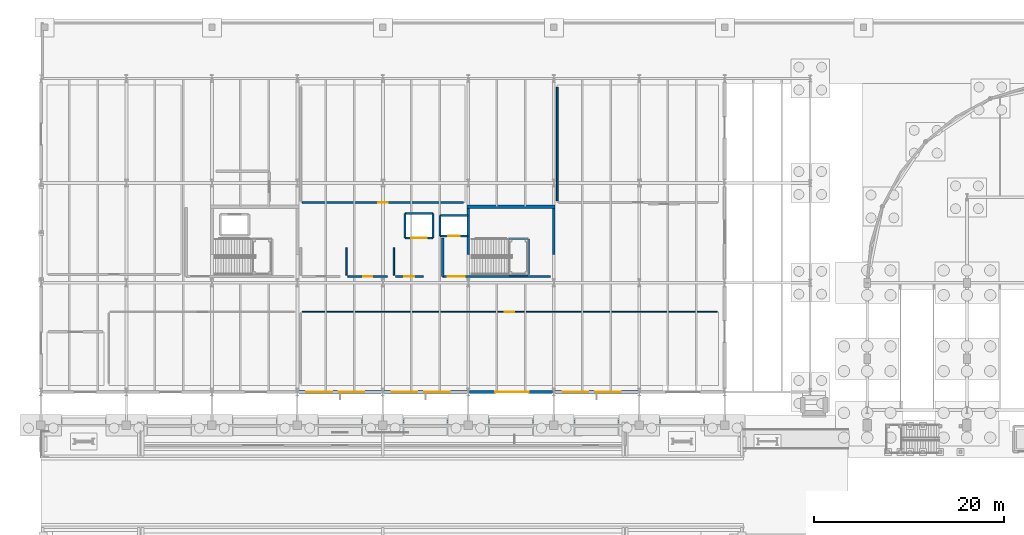
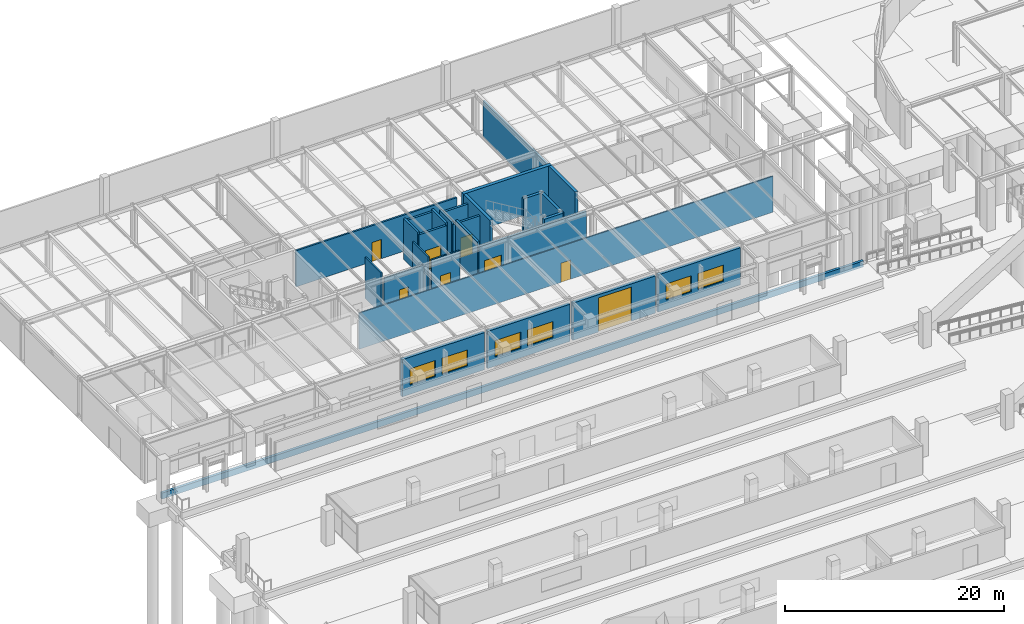
# One storey, part 104 of 160: 27 walls, 8 doors, 6 windows, 14 openings.
"""IFC4 building model written with IfcOpenShell, lengths in metres."""

from ifc_helpers import new_model, si_unit, direction, frame, frame_2d, origin, place, context, subcontext, project, spatial, rectangle, extrude, material, layer, layer_set, type_object, element, fill, save


model = new_model("IFC4")

# Units and contexts
model_context = context("Model", 3, precision=1e-05, world=origin(), true_north=direction((0.0, 1.0)))
body_context = subcontext(model_context, "Body", "Model", "MODEL_VIEW")
ifc_project = project(units=[si_unit("LENGTHUNIT", "METRE"), si_unit("AREAUNIT", "SQUARE_METRE"), si_unit("VOLUMEUNIT", "CUBIC_METRE"), si_unit("PLANEANGLEUNIT", "RADIAN"), si_unit("MASSUNIT", "GRAM", prefix="KILO")], contexts=[model_context])

# Site, building, storey
site_placement = place(None, origin())
site = spatial("IfcSite", under=ifc_project, at=site_placement, CompositionType="ELEMENT")
building_placement = place(site_placement, origin())
building = spatial("IfcBuilding", under=site, at=building_placement, Name="Marlcrest Central Station", CompositionType="ELEMENT")
storey_placement = place(building_placement, origin())
storey = spatial("IfcBuildingStorey", under=building, at=storey_placement, Name="L00", CompositionType="ELEMENT", Elevation=0.0)

# Wall, openings, windows
ifc_material_1 = material(Name="Concrete C40/50", Category="concrete")
ifc_layer_1 = layer(ifc_material_1, 0.320068359375, Name="EW-01")
ifc_layer_set_1 = layer_set([ifc_layer_1], Name="Concrete C40/50")
wall_type_1 = type_object("IfcWallType", Name="EW-01", PredefinedType="SOLIDWALL", material=ifc_layer_set_1)
wall_1_placement = place(storey_placement, frame((35.85009765625, 99.0, 0.0), z_axis=(0.0, 0.0, 1.0), x_axis=(-1.0, 0.0, 0.0)))
wall_1 = element("IfcWall", 1, at=wall_1_placement, inside=storey, type_object=wall_type_1, Name="ewall-L00-0100", PredefinedType="SOLIDWALL", context=body_context, shape_type="SweptSolid", body=[
    extrude(rectangle(XDim=8.7001953125, YDim=0.320068359375, at=frame_2d((4.35009765625, 0.0))), origin(), (0.0, 0.0, 1.0), 4.14990234375),
])
opening_1_placement = place(wall_1_placement, frame((1.800048828125, 0.0, 1.050048828125)))
opening_1 = element("IfcOpeningElement", 2, at=opening_1_placement, cuts=wall_1, Name="Opening WN-06", PredefinedType="OPENING", context=body_context, shape_type="SweptSolid", body=[
    extrude(rectangle(XDim=2.699951171875, YDim=1.800048828125, at=frame_2d((1.35009765625, 0.89990234375))), frame((0.0, 0.169921875, 0.0), z_axis=(0.0, -1.0, 0.0), x_axis=(1.0, 0.0, 0.0)), (0.0, 0.0, 1.0), 0.340087890625),
])
opening_2_placement = place(wall_1_placement, frame((5.199951171875, 0.0, 1.050048828125)))
opening_2 = element("IfcOpeningElement", 3, at=opening_2_placement, cuts=wall_1, Name="Opening WN-06", PredefinedType="OPENING", context=body_context, shape_type="SweptSolid", body=[
    extrude(rectangle(XDim=2.699951171875, YDim=1.800048828125, at=frame_2d((1.35009765625, 0.89990234375))), frame((0.0, 0.169921875, 0.0), z_axis=(0.0, -1.0, 0.0), x_axis=(1.0, 0.0, 0.0)), (0.0, 0.0, 1.0), 0.340087890625),
])
ifc_material_2 = material(Name="Thermally broken bronze-anodised aluminium and laminated low-E glass", Category="aluminium")
window_type = type_object("IfcWindowType", Name="WN-06", PartitioningType="SINGLE_PANEL", PredefinedType="WINDOW", material=ifc_material_2)
window_1_placement = place(opening_1_placement, origin())
window_1 = element("IfcWindow", 4, at=window_1_placement, inside=storey, type_object=window_type, Name="ewin-L00-0053", OverallHeight=1.800048828125, OverallWidth=2.699951171875, PartitioningType="SINGLE_PANEL", PredefinedType="WINDOW", context=body_context, shape_type="SweptSolid", body=[
    extrude(rectangle(XDim=2.699951171875, YDim=1.800048828125, at=frame_2d((1.35009765625, 0.89990234375))), frame((0.0, 0.030029296875, 0.0), z_axis=(0.0, -1.0, 0.0), x_axis=(1.0, 0.0, 0.0)), (0.0, 0.0, 1.0), 0.06005859375),
])
fill(opening_1, window_1)
window_2_placement = place(opening_2_placement, origin())
window_2 = element("IfcWindow", 5, at=window_2_placement, inside=storey, type_object=window_type, Name="ewin-L00-0054", OverallHeight=1.800048828125, OverallWidth=2.699951171875, PartitioningType="SINGLE_PANEL", PredefinedType="WINDOW", context=body_context, shape_type="SweptSolid", body=[
    extrude(rectangle(XDim=2.699951171875, YDim=1.800048828125, at=frame_2d((1.35009765625, 0.89990234375))), frame((0.0, 0.030029296875, 0.0), z_axis=(0.0, -1.0, 0.0), x_axis=(1.0, 0.0, 0.0)), (0.0, 0.0, 1.0), 0.06005859375),
])
fill(opening_2, window_2)

wall_2_placement = place(storey_placement, frame((44.85009765625, 99.0, 0.0), z_axis=(0.0, 0.0, 1.0), x_axis=(-1.0, 0.0, 0.0)))
wall_2 = element("IfcWall", 6, at=wall_2_placement, inside=storey, type_object=wall_type_1, Name="ewall-L00-0101", PredefinedType="SOLIDWALL", context=body_context, shape_type="SweptSolid", body=[
    extrude(rectangle(XDim=8.7001953125, YDim=0.320068359375, at=frame_2d((4.35009765625, 0.0))), origin(), (0.0, 0.0, 1.0), 4.14990234375),
])
opening_3_placement = place(wall_2_placement, frame((1.800048828125, 0.0, 1.050048828125)))
opening_3 = element("IfcOpeningElement", 7, at=opening_3_placement, cuts=wall_2, Name="Opening WN-06", PredefinedType="OPENING", context=body_context, shape_type="SweptSolid", body=[
    extrude(rectangle(XDim=2.699951171875, YDim=1.800048828125, at=frame_2d((1.35009765625, 0.89990234375))), frame((0.0, 0.169921875, 0.0), z_axis=(0.0, -1.0, 0.0), x_axis=(1.0, 0.0, 0.0)), (0.0, 0.0, 1.0), 0.340087890625),
])
opening_4_placement = place(wall_2_placement, frame((5.199951171875, 0.0, 1.050048828125)))
opening_4 = element("IfcOpeningElement", 8, at=opening_4_placement, cuts=wall_2, Name="Opening WN-06", PredefinedType="OPENING", context=body_context, shape_type="SweptSolid", body=[
    extrude(rectangle(XDim=2.699951171875, YDim=1.800048828125, at=frame_2d((1.35009765625, 0.89990234375))), frame((0.0, 0.169921875, 0.0), z_axis=(0.0, -1.0, 0.0), x_axis=(1.0, 0.0, 0.0)), (0.0, 0.0, 1.0), 0.340087890625),
])
window_3_placement = place(opening_3_placement, origin())
window_3 = element("IfcWindow", 9, at=window_3_placement, inside=storey, type_object=window_type, Name="ewin-L00-0055", OverallHeight=1.800048828125, OverallWidth=2.699951171875, PartitioningType="SINGLE_PANEL", PredefinedType="WINDOW", context=body_context, shape_type="SweptSolid", body=[
    extrude(rectangle(XDim=2.699951171875, YDim=1.800048828125, at=frame_2d((1.35009765625, 0.89990234375))), frame((0.0, 0.030029296875, 0.0), z_axis=(0.0, -1.0, 0.0), x_axis=(1.0, 0.0, 0.0)), (0.0, 0.0, 1.0), 0.06005859375),
])
fill(opening_3, window_3)
window_4_placement = place(opening_4_placement, origin())
window_4 = element("IfcWindow", 10, at=window_4_placement, inside=storey, type_object=window_type, Name="ewin-L00-0056", OverallHeight=1.800048828125, OverallWidth=2.699951171875, PartitioningType="SINGLE_PANEL", PredefinedType="WINDOW", context=body_context, shape_type="SweptSolid", body=[
    extrude(rectangle(XDim=2.699951171875, YDim=1.800048828125, at=frame_2d((1.35009765625, 0.89990234375))), frame((0.0, 0.030029296875, 0.0), z_axis=(0.0, -1.0, 0.0), x_axis=(1.0, 0.0, 0.0)), (0.0, 0.0, 1.0), 0.06005859375),
])
fill(opening_4, window_4)

# Wall, opening, door
wall_3_placement = place(storey_placement, frame((53.85009765625, 99.0, 0.0), z_axis=(0.0, 0.0, 1.0), x_axis=(-1.0, 0.0, 0.0)))
wall_3 = element("IfcWall", 11, at=wall_3_placement, inside=storey, type_object=wall_type_1, Name="ewall-L00-0102", PredefinedType="SOLIDWALL", context=body_context, shape_type="SweptSolid", body=[
    extrude(rectangle(XDim=8.7001953125, YDim=0.320068359375, at=frame_2d((4.35009765625, 0.0))), origin(), (0.0, 0.0, 1.0), 4.14990234375),
])
opening_5_placement = place(wall_3_placement, frame((2.5, 0.0, 0.0)))
opening_5 = element("IfcOpeningElement", 12, at=opening_5_placement, cuts=wall_3, Name="Opening VD-01", PredefinedType="OPENING", context=body_context, shape_type="SweptSolid", body=[
    extrude(rectangle(XDim=3.5, YDim=3.800048828125, at=frame_2d((1.75, 1.89990234375))), frame((0.0, 0.169921875, 0.0), z_axis=(0.0, -1.0, 0.0), x_axis=(1.0, 0.0, 0.0)), (0.0, 0.0, 1.0), 0.340087890625),
])
ifc_material_3 = material(Name="Galvanized insulated steel shutter", Category="steel")
door_type_1 = type_object("IfcDoorType", Name="VD-01", OperationType="ROLLINGUP", PredefinedType="GATE", material=ifc_material_3)
door_1_placement = place(opening_5_placement, origin())
door_1 = element("IfcDoor", 13, at=door_1_placement, inside=storey, type_object=door_type_1, Name="Freight Loading Dock Shutter 034", OperationType="ROLLINGUP", OverallHeight=3.800048828125, OverallWidth=3.5, PredefinedType="GATE", context=body_context, shape_type="SweptSolid", body=[
    extrude(rectangle(XDim=3.5, YDim=3.800048828125, at=frame_2d((1.75, 1.89990234375))), frame((0.0, 0.02490234375, 0.0), z_axis=(0.0, -1.0, 0.0), x_axis=(1.0, 0.0, 0.0)), (0.0, 0.0, 1.0), 0.050048828125),
])
fill(opening_5, door_1)

# Wall, openings, windows
wall_4_placement = place(storey_placement, frame((62.85009765625, 99.0, 0.0), z_axis=(0.0, 0.0, 1.0), x_axis=(-1.0, 0.0, 0.0)))
wall_4 = element("IfcWall", 14, at=wall_4_placement, inside=storey, type_object=wall_type_1, Name="ewall-L00-0103", PredefinedType="SOLIDWALL", context=body_context, shape_type="SweptSolid", body=[
    extrude(rectangle(XDim=8.7001953125, YDim=0.320068359375, at=frame_2d((4.35009765625, 0.0))), origin(), (0.0, 0.0, 1.0), 4.14990234375),
])
opening_6_placement = place(wall_4_placement, frame((1.800048828125, 0.0, 1.050048828125)))
opening_6 = element("IfcOpeningElement", 15, at=opening_6_placement, cuts=wall_4, Name="Opening WN-06", PredefinedType="OPENING", context=body_context, shape_type="SweptSolid", body=[
    extrude(rectangle(XDim=2.699951171875, YDim=1.800048828125, at=frame_2d((1.35009765625, 0.89990234375))), frame((0.0, 0.169921875, 0.0), z_axis=(0.0, -1.0, 0.0), x_axis=(1.0, 0.0, 0.0)), (0.0, 0.0, 1.0), 0.340087890625),
])
opening_7_placement = place(wall_4_placement, frame((5.199951171875, 0.0, 1.050048828125)))
opening_7 = element("IfcOpeningElement", 16, at=opening_7_placement, cuts=wall_4, Name="Opening WN-06", PredefinedType="OPENING", context=body_context, shape_type="SweptSolid", body=[
    extrude(rectangle(XDim=2.699951171875, YDim=1.800048828125, at=frame_2d((1.35009765625, 0.89990234375))), frame((0.0, 0.169921875, 0.0), z_axis=(0.0, -1.0, 0.0), x_axis=(1.0, 0.0, 0.0)), (0.0, 0.0, 1.0), 0.340087890625),
])
window_5_placement = place(opening_6_placement, origin())
window_5 = element("IfcWindow", 17, at=window_5_placement, inside=storey, type_object=window_type, Name="ewin-L00-0057", OverallHeight=1.800048828125, OverallWidth=2.699951171875, PartitioningType="SINGLE_PANEL", PredefinedType="WINDOW", context=body_context, shape_type="SweptSolid", body=[
    extrude(rectangle(XDim=2.699951171875, YDim=1.800048828125, at=frame_2d((1.35009765625, 0.89990234375))), frame((0.0, 0.030029296875, 0.0), z_axis=(0.0, -1.0, 0.0), x_axis=(1.0, 0.0, 0.0)), (0.0, 0.0, 1.0), 0.06005859375),
])
fill(opening_6, window_5)
window_6_placement = place(opening_7_placement, origin())
window_6 = element("IfcWindow", 18, at=window_6_placement, inside=storey, type_object=window_type, Name="ewin-L00-0058", OverallHeight=1.800048828125, OverallWidth=2.699951171875, PartitioningType="SINGLE_PANEL", PredefinedType="WINDOW", context=body_context, shape_type="SweptSolid", body=[
    extrude(rectangle(XDim=2.699951171875, YDim=1.800048828125, at=frame_2d((1.35009765625, 0.89990234375))), frame((0.0, 0.030029296875, 0.0), z_axis=(0.0, -1.0, 0.0), x_axis=(1.0, 0.0, 0.0)), (0.0, 0.0, 1.0), 0.06005859375),
])
fill(opening_7, window_6)

# Wall, opening, door
ifc_material_4 = material(Name="Acoustic steel-stud gypsum board partition", Category="steel")
ifc_layer_2 = layer(ifc_material_4, 0.1201171875, Name="PT-01")
ifc_layer_set_2 = layer_set([ifc_layer_2], Name="Acoustic steel-stud gypsum board partition")
wall_type_2 = type_object("IfcWallType", Name="PT-01", PredefinedType="PARTITIONING", material=ifc_layer_set_2)
wall_5_placement = place(storey_placement, frame((27.510009765625, 107.43994140625, 0.0), z_axis=(0.0, 0.0, 1.0), x_axis=(1.0, 0.0, 0.0)))
wall_5 = element("IfcWall", 19, at=wall_5_placement, inside=storey, type_object=wall_type_2, Name="iwall-L00-00055", PredefinedType="PARTITIONING", context=body_context, shape_type="SweptSolid", body=[
    extrude(rectangle(XDim=43.679931640625, YDim=0.1201171875, at=frame_2d((21.83984375, 0.0))), origin(), (0.0, 0.0, 1.0), 4.030029296875),
])
opening_8_placement = place(wall_5_placement, frame((21.340087890625, 0.0, 0.0)))
opening_8 = element("IfcOpeningElement", 20, at=opening_8_placement, cuts=wall_5, Name="Opening ID-02", PredefinedType="OPENING", context=body_context, shape_type="SweptSolid", body=[
    extrude(rectangle(XDim=1.0, YDim=2.14990234375, at=frame_2d((0.5, 1.074951171875))), frame((0.0, 0.070068359375, 0.0), z_axis=(0.0, -1.0, 0.0), x_axis=(1.0, 0.0, 0.0)), (0.0, 0.0, 1.0), 0.14013671875),
])
ifc_material_5 = material(Name="Solid-core hardwood office door", Category="wood")
door_type_2 = type_object("IfcDoorType", Name="ID-02", OperationType="NOTDEFINED", PredefinedType="DOOR", material=ifc_material_5)
door_2_placement = place(opening_8_placement, origin())
door_2 = element("IfcDoor", 21, at=door_2_placement, inside=storey, type_object=door_type_2, Name="L00-V5B 0035", OperationType="SINGLE_SWING_RIGHT", OverallHeight=2.14990234375, OverallWidth=1.0, PredefinedType="DOOR", context=body_context, shape_type="SweptSolid", body=[
    extrude(rectangle(XDim=1.0, YDim=2.14990234375, at=frame_2d((0.5, 1.074951171875))), frame((0.0, 0.02490234375, 0.0), z_axis=(0.0, -1.0, 0.0), x_axis=(1.0, 0.0, 0.0)), (0.0, 0.0, 1.0), 0.050048828125),
])
fill(opening_8, door_2)

ifc_material_6 = material(Name="Moisture-resistant tiled sanitary partition")
ifc_layer_3 = layer(ifc_material_6, 0.159912109375, Name="PT-03")
ifc_layer_set_3 = layer_set([ifc_layer_3], Name="Moisture-resistant tiled sanitary partition")
wall_type_3 = type_object("IfcWallType", Name="PT-03", PredefinedType="PARTITIONING", material=ifc_layer_set_3)
wall_6_placement = place(storey_placement, frame((36.489990234375, 111.159912109375, 0.0), z_axis=(0.0, 0.0, 1.0), x_axis=(-1.0, 0.0, 0.0)))
wall_6 = element("IfcWall", 22, at=wall_6_placement, inside=storey, type_object=wall_type_3, Name="iwall-L00-00066", PredefinedType="PARTITIONING", context=body_context, shape_type="SweptSolid", body=[
    extrude(rectangle(XDim=4.179931640625, YDim=0.159912109375, at=frame_2d((2.08984375, 0.0))), origin(), (0.0, 0.0, 1.0), 4.030029296875),
])
opening_9_placement = place(wall_6_placement, frame((1.614990234375, 0.0, 0.0)))
opening_9 = element("IfcOpeningElement", 23, at=opening_9_placement, cuts=wall_6, Name="Opening ID-01", PredefinedType="OPENING", context=body_context, shape_type="SweptSolid", body=[
    extrude(rectangle(XDim=0.949951171875, YDim=2.14990234375, at=frame_2d((0.47509765625, 1.074951171875))), frame((0.0, 0.08984375, 0.0), z_axis=(0.0, -1.0, 0.0), x_axis=(1.0, 0.0, 0.0)), (0.0, 0.0, 1.0), 0.179931640625),
])
ifc_material_7 = material(Name="Solid-core hardwood acoustic door", Category="wood")
door_type_3 = type_object("IfcDoorType", Name="ID-01", OperationType="NOTDEFINED", PredefinedType="DOOR", material=ifc_material_7)
door_3_placement = place(opening_9_placement, origin())
door_3 = element("IfcDoor", 24, at=door_3_placement, inside=storey, type_object=door_type_3, Name="L00-WC-W2 0041", OperationType="SINGLE_SWING_RIGHT", OverallHeight=2.14990234375, OverallWidth=0.949951171875, PredefinedType="DOOR", context=body_context, shape_type="SweptSolid", body=[
    extrude(rectangle(XDim=0.949951171875, YDim=2.14990234375, at=frame_2d((0.47509765625, 1.074951171875))), frame((0.0, 0.02490234375, 0.0), z_axis=(0.0, -1.0, 0.0), x_axis=(1.0, 0.0, 0.0)), (0.0, 0.0, 1.0), 0.050048828125),
])
fill(opening_9, door_3)

# Wall
wall_7_placement = place(storey_placement, frame((32.159912109375, 111.31005859375, 0.0), z_axis=(0.0, 0.0, 1.0), x_axis=(0.0, 1.0, 0.0)))
element("IfcWall", 25, at=wall_7_placement, inside=storey, type_object=wall_type_3, Name="iwall-L00-00067", PredefinedType="PARTITIONING", context=body_context, shape_type="SweptSolid", body=[
    extrude(rectangle(XDim=2.8798828125, YDim=0.159912109375, at=frame_2d((1.43994140625, 0.0))), origin(), (0.0, 0.0, 1.0), 4.550048828125),
])

# Wall, opening, door
wall_8_placement = place(storey_placement, frame((40.2900390625, 111.159912109375, 0.0), z_axis=(0.0, 0.0, 1.0), x_axis=(-1.0, 0.0, 0.0)))
wall_8 = element("IfcWall", 26, at=wall_8_placement, inside=storey, type_object=wall_type_3, Name="iwall-L00-00068", PredefinedType="PARTITIONING", context=body_context, shape_type="SweptSolid", body=[
    extrude(rectangle(XDim=2.97998046875, YDim=0.159912109375, at=frame_2d((1.489990234375, 0.0))), origin(), (0.0, 0.0, 1.0), 4.31005859375),
])
opening_10_placement = place(wall_8_placement, frame((0.965087890625, 0.0, 0.0)))
opening_10 = element("IfcOpeningElement", 27, at=opening_10_placement, cuts=wall_8, Name="Opening ID-03", PredefinedType="OPENING", context=body_context, shape_type="SweptSolid", body=[
    extrude(rectangle(XDim=1.050048828125, YDim=2.199951171875, at=frame_2d((0.52490234375, 1.10009765625))), frame((0.0, 0.08984375, 0.0), z_axis=(0.0, -1.0, 0.0), x_axis=(1.0, 0.0, 0.0)), (0.0, 0.0, 1.0), 0.179931640625),
])
ifc_material_8 = material(Name="Accessible sanitary outward-opening door")
door_type_4 = type_object("IfcDoorType", Name="ID-03", OperationType="NOTDEFINED", PredefinedType="DOOR", material=ifc_material_8)
door_4_placement = place(opening_10_placement, origin())
door_4 = element("IfcDoor", 28, at=door_4_placement, inside=storey, type_object=door_type_4, Name="L00-WC-WA 0042", OperationType="SINGLE_SWING_LEFT", OverallHeight=2.199951171875, OverallWidth=1.050048828125, PredefinedType="DOOR", context=body_context, shape_type="SweptSolid", body=[
    extrude(rectangle(XDim=1.050048828125, YDim=2.199951171875, at=frame_2d((0.52490234375, 1.10009765625))), frame((0.0, 0.02490234375, 0.0), z_axis=(0.0, -1.0, 0.0), x_axis=(1.0, 0.0, 0.0)), (0.0, 0.0, 1.0), 0.050048828125),
])
fill(opening_10, door_4)

# Wall
wall_9_placement = place(storey_placement, frame((37.159912109375, 111.31005859375, 0.0), z_axis=(0.0, 0.0, 1.0), x_axis=(0.0, 1.0, 0.0)))
element("IfcWall", 29, at=wall_9_placement, inside=storey, type_object=wall_type_3, Name="iwall-L00-00069", PredefinedType="PARTITIONING", context=body_context, shape_type="SweptSolid", body=[
    extrude(rectangle(XDim=2.8798828125, YDim=0.159912109375, at=frame_2d((1.43994140625, 0.0))), origin(), (0.0, 0.0, 1.0), 4.550048828125),
])

# Wall, opening, door
ifc_material_9 = material(Name="Fire-rated corridor blockwork partition", Category="masonry")
ifc_layer_4 = layer(ifc_material_9, 0.179931640625, Name="PT-04")
ifc_layer_set_4 = layer_set([ifc_layer_4], Name="Fire-rated corridor blockwork partition")
wall_type_4 = type_object("IfcWallType", Name="PT-04", PredefinedType="PARTITIONING", material=ifc_layer_set_4)
wall_10_placement = place(storey_placement, frame((44.489990234375, 118.9599609375, 0.0), z_axis=(0.0, 0.0, 1.0), x_axis=(-1.0, 0.0, 0.0)))
wall_10 = element("IfcWall", 30, at=wall_10_placement, inside=storey, type_object=wall_type_4, Name="iwall-L00-00058", PredefinedType="PARTITIONING", context=body_context, shape_type="SweptSolid", body=[
    extrude(rectangle(XDim=16.97998046875, YDim=0.179931640625, at=frame_2d((8.489990234375, 0.0))), origin(), (0.0, 0.0, 1.0), 4.030029296875),
])
opening_11_placement = place(wall_10_placement, frame((7.989990234375, 0.0, 0.0)))
opening_11 = element("IfcOpeningElement", 31, at=opening_11_placement, cuts=wall_10, Name="Opening ID-02", PredefinedType="OPENING", context=body_context, shape_type="SweptSolid", body=[
    extrude(rectangle(XDim=1.0, YDim=2.14990234375, at=frame_2d((0.5, 1.074951171875))), frame((0.0, 0.099853515625, 0.0), z_axis=(0.0, -1.0, 0.0), x_axis=(1.0, 0.0, 0.0)), (0.0, 0.0, 1.0), 0.199951171875),
])
door_5_placement = place(opening_11_placement, origin())
door_5 = element("IfcDoor", 32, at=door_5_placement, inside=storey, type_object=door_type_2, Name="L00-V5E 0037", OperationType="SINGLE_SWING_RIGHT", OverallHeight=2.14990234375, OverallWidth=1.0, PredefinedType="DOOR", context=body_context, shape_type="SweptSolid", body=[
    extrude(rectangle(XDim=1.0, YDim=2.14990234375, at=frame_2d((0.5, 1.074951171875))), frame((0.0, 0.02490234375, 0.0), z_axis=(0.0, -1.0, 0.0), x_axis=(1.0, 0.0, 0.0)), (0.0, 0.0, 1.0), 0.050048828125),
])
fill(opening_11, door_5)

# Walls
wall_11_placement = place(storey_placement, frame((54.360107421875, 119.110107421875, 0.0), z_axis=(0.0, 0.0, 1.0), x_axis=(0.0, 1.0, 0.0)))
element("IfcWall", 33, at=wall_11_placement, inside=storey, type_object=wall_type_4, Name="iwall-L00-00061", PredefinedType="PARTITIONING", context=body_context, shape_type="SweptSolid", body=[
    extrude(rectangle(XDim=11.97998046875, YDim=0.179931640625, at=frame_2d((5.989990234375, 0.0))), origin(), (0.0, 0.0, 1.0), 4.030029296875),
])
ifc_material_10 = material(Name="Concrete C35/45", Category="concrete")
ifc_layer_5 = layer(ifc_material_10, 0.27490234375, Name="PW-01")
ifc_layer_set_5 = layer_set([ifc_layer_5], Name="Concrete C35/45")
wall_type_5 = type_object("IfcWallType", Name="PW-01", PredefinedType="SOLIDWALL", material=ifc_layer_set_5)
wall_12_placement = place(storey_placement, frame((0.0, 95.85009765625, 0.0), z_axis=(0.0, 0.0, 1.0), x_axis=(1.0, 0.0, 0.0)))
element("IfcWall", 34, at=wall_12_placement, inside=storey, type_object=wall_type_5, Name="swall-L00-0144", PredefinedType="SOLIDWALL", context=body_context, shape_type="SweptSolid", body=[
    extrude(rectangle(XDim=74.0, YDim=0.27490234375, at=frame_2d((37.0, 0.0))), origin(), (0.0, 0.0, 1.0), 0.675048828125),
])
ifc_layer_6 = layer(ifc_material_1, 0.22998046875, Name="SHW-01")
ifc_layer_set_6 = layer_set([ifc_layer_6], Name="Concrete C40/50")
wall_type_6 = type_object("IfcWallType", Name="SHW-01", PredefinedType="SOLIDWALL", material=ifc_layer_set_6)
wall_13_placement = place(storey_placement, frame((42.02001953125, 117.580078125, 0.0), z_axis=(0.0, 0.0, 1.0), x_axis=(1.0, 0.0, 0.0)))
element("IfcWall", 35, at=wall_13_placement, inside=storey, type_object=wall_type_6, Name="iwall-L00-00374", PredefinedType="SOLIDWALL", context=body_context, shape_type="SweptSolid", body=[
    extrude(rectangle(XDim=2.9599609375, YDim=0.22998046875, at=frame_2d((1.47998046875, 0.0))), origin(), (0.0, 0.0, 1.0), 4.030029296875),
])

# Wall, opening, door
wall_14_placement = place(storey_placement, frame((44.97998046875, 115.419921875, 0.0), z_axis=(0.0, 0.0, 1.0), x_axis=(-1.0, 0.0, 0.0)))
wall_14 = element("IfcWall", 36, at=wall_14_placement, inside=storey, type_object=wall_type_6, Name="iwall-L00-00375", PredefinedType="SOLIDWALL", context=body_context, shape_type="SweptSolid", body=[
    extrude(rectangle(XDim=2.9599609375, YDim=0.22998046875, at=frame_2d((1.47998046875, 0.0))), origin(), (0.0, 0.0, 1.0), 4.030029296875),
])
opening_12_placement = place(wall_14_placement, frame((0.85498046875, 0.0, 0.0)))
opening_12 = element("IfcOpeningElement", 37, at=opening_12_placement, cuts=wall_14, Name="Opening LD-02", PredefinedType="OPENING", context=body_context, shape_type="SweptSolid", body=[
    extrude(rectangle(XDim=1.25, YDim=2.199951171875, at=frame_2d((0.625, 1.10009765625))), frame((0.0, 0.125, 0.0), z_axis=(0.0, -1.0, 0.0), x_axis=(1.0, 0.0, 0.0)), (0.0, 0.0, 1.0), 0.25),
])
ifc_material_11 = material(Name="Stainless steel stretcher/firefighting lift landing door", Category="steel")
door_type_5 = type_object("IfcDoorType", Name="LD-02", OperationType="DOUBLE_DOOR_SLIDING", PredefinedType="DOOR", material=ifc_material_11)
door_6_placement = place(opening_12_placement, origin())
door_6 = element("IfcDoor", 38, at=door_6_placement, inside=storey, type_object=door_type_5, Name="LF-O1 Lift Landing Door 0164", OperationType="DOUBLE_DOOR_SLIDING", OverallHeight=2.199951171875, OverallWidth=1.25, PredefinedType="DOOR", context=body_context, shape_type="SweptSolid", body=[
    extrude(rectangle(XDim=1.25, YDim=2.199951171875, at=frame_2d((0.625, 1.10009765625))), frame((0.0, 0.02490234375, 0.0), z_axis=(0.0, -1.0, 0.0), x_axis=(1.0, 0.0, 0.0)), (0.0, 0.0, 1.0), 0.050048828125),
])
fill(opening_12, door_6)

# Walls
wall_15_placement = place(storey_placement, frame((42.02001953125, 115.419921875, 0.0), z_axis=(0.0, 0.0, 1.0), x_axis=(0.0, 1.0, 0.0)))
element("IfcWall", 39, at=wall_15_placement, inside=storey, type_object=wall_type_6, Name="iwall-L00-00376", PredefinedType="SOLIDWALL", context=body_context, shape_type="SweptSolid", body=[
    extrude(rectangle(XDim=2.16015625, YDim=0.22998046875, at=frame_2d((1.080078125, 0.0))), origin(), (0.0, 0.0, 1.0), 4.31005859375),
])
wall_16_placement = place(storey_placement, frame((38.320068359375, 117.780029296875, 0.0), z_axis=(0.0, 0.0, 1.0), x_axis=(1.0, 0.0, 0.0)))
element("IfcWall", 40, at=wall_16_placement, inside=storey, type_object=wall_type_6, Name="iwall-L00-00396", PredefinedType="SOLIDWALL", context=body_context, shape_type="SweptSolid", body=[
    extrude(rectangle(XDim=2.9599609375, YDim=0.22998046875, at=frame_2d((1.47998046875, 0.0))), origin(), (0.0, 0.0, 1.0), 4.31005859375),
])

# Wall, opening, door
wall_17_placement = place(storey_placement, frame((41.280029296875, 115.219970703125, 0.0), z_axis=(0.0, 0.0, 1.0), x_axis=(-1.0, 0.0, 0.0)))
wall_17 = element("IfcWall", 41, at=wall_17_placement, inside=storey, type_object=wall_type_6, Name="iwall-L00-00397", PredefinedType="SOLIDWALL", context=body_context, shape_type="SweptSolid", body=[
    extrude(rectangle(XDim=2.9599609375, YDim=0.22998046875, at=frame_2d((1.47998046875, 0.0))), origin(), (0.0, 0.0, 1.0), 4.31005859375),
])
opening_13_placement = place(wall_17_placement, frame((0.679931640625, 0.0, 0.0)))
opening_13 = element("IfcOpeningElement", 42, at=opening_13_placement, cuts=wall_17, Name="Opening LD-03", PredefinedType="OPENING", context=body_context, shape_type="SweptSolid", body=[
    extrude(rectangle(XDim=1.60009765625, YDim=2.300048828125, at=frame_2d((0.800048828125, 1.14990234375))), frame((0.0, 0.125, 0.0), z_axis=(0.0, -1.0, 0.0), x_axis=(1.0, 0.0, 0.0)), (0.0, 0.0, 1.0), 0.25),
])
ifc_material_12 = material(Name="Heavy-duty goods lift sliding landing door")
door_type_6 = type_object("IfcDoorType", Name="LD-03", OperationType="DOUBLE_DOOR_SLIDING", PredefinedType="DOOR", material=ifc_material_12)
door_7_placement = place(opening_13_placement, origin())
door_7 = element("IfcDoor", 43, at=door_7_placement, inside=storey, type_object=door_type_6, Name="LF-G1 Lift Landing Door 0171", OperationType="DOUBLE_DOOR_SLIDING", OverallHeight=2.300048828125, OverallWidth=1.60009765625, PredefinedType="DOOR", context=body_context, shape_type="SweptSolid", body=[
    extrude(rectangle(XDim=1.60009765625, YDim=2.300048828125, at=frame_2d((0.800048828125, 1.14990234375))), frame((0.0, 0.02490234375, 0.0), z_axis=(0.0, -1.0, 0.0), x_axis=(1.0, 0.0, 0.0)), (0.0, 0.0, 1.0), 0.050048828125),
])
fill(opening_13, door_7)

# Walls
for number, where, z_axis, x_axis, name in (
    (44, (38.320068359375, 115.219970703125, 0.0), (0.0, 0.0, 1.0), (0.0, 1.0, 0.0), "iwall-L00-00398"),
    (45, (41.280029296875, 117.780029296875, 0.0), (0.0, 0.0, 1.0), (0.0, -1.0, 0.0), "iwall-L00-00399"),
):
    element("IfcWall", number, at=place(storey_placement, frame(where, z_axis=z_axis, x_axis=x_axis)), inside=storey, type_object=wall_type_6, Name=name, PredefinedType="SOLIDWALL", context=body_context, shape_type="SweptSolid", body=[
        extrude(rectangle(XDim=2.56005859375, YDim=0.22998046875, at=frame_2d((1.280029296875, 0.0))), origin(), (0.0, 0.0, 1.0), 4.56005859375),
    ])

# Wall, opening, door
wall_18_placement = place(storey_placement, frame((42.300048828125, 111.14990234375, 0.0), z_axis=(0.0, 0.0, 1.0), x_axis=(1.0, 0.0, 0.0)))
wall_18 = element("IfcWall", 46, at=wall_18_placement, inside=storey, type_object=wall_type_6, Name="iwall-L00-00431", PredefinedType="SOLIDWALL", context=body_context, shape_type="SweptSolid", body=[
    extrude(rectangle(XDim=11.349853515625, YDim=0.22998046875, at=frame_2d((5.6748046875, 0.0))), origin(), (0.0, 0.0, 1.0), 4.030029296875),
])
opening_14_placement = place(wall_18_placement, frame((0.550048828125, 0.0, 0.0)))
opening_14 = element("IfcOpeningElement", 47, at=opening_14_placement, cuts=wall_18, Name="Opening FD-90D", PredefinedType="OPENING", context=body_context, shape_type="SweptSolid", body=[
    extrude(rectangle(XDim=1.800048828125, YDim=2.300048828125, at=frame_2d((0.89990234375, 1.14990234375))), frame((0.0, 0.125, 0.0), z_axis=(0.0, -1.0, 0.0), x_axis=(1.0, 0.0, 0.0)), (0.0, 0.0, 1.0), 0.25),
])
ifc_material_13 = material(Name="90-minute double exit-stair fire door")
door_type_7 = type_object("IfcDoorType", Name="FD-90D", OperationType="DOUBLE_DOOR_SINGLE_SWING", PredefinedType="DOOR", material=ifc_material_13)
door_8_placement = place(opening_14_placement, origin())
door_8 = element("IfcDoor", 48, at=door_8_placement, inside=storey, type_object=door_type_7, Name="ST-W20 Stair Door 0185", OperationType="DOUBLE_DOOR_SINGLE_SWING", OverallHeight=2.300048828125, OverallWidth=1.800048828125, PredefinedType="DOOR", context=body_context, shape_type="SweptSolid", body=[
    extrude(rectangle(XDim=1.800048828125, YDim=2.300048828125, at=frame_2d((0.89990234375, 1.14990234375))), frame((0.0, 0.02490234375, 0.0), z_axis=(0.0, -1.0, 0.0), x_axis=(1.0, 0.0, 0.0)), (0.0, 0.0, 1.0), 0.050048828125),
])
fill(opening_14, door_8)

# Walls
wall_19_placement = place(storey_placement, frame((42.300048828125, 111.14990234375, 0.0), z_axis=(0.0, 0.0, 1.0), x_axis=(0.0, 1.0, 0.0)))
element("IfcWall", 49, at=wall_19_placement, inside=storey, type_object=wall_type_6, Name="iwall-L00-00432", PredefinedType="SOLIDWALL", context=body_context, shape_type="SweptSolid", body=[
    extrude(rectangle(XDim=4.050048828125, YDim=0.22998046875, at=frame_2d((2.02490234375, 0.0))), origin(), (0.0, 0.0, 1.0), 4.550048828125),
])
ifc_material_14 = material(Name="Concrete C50/60", Category="concrete")
ifc_layer_7 = layer(ifc_material_14, 0.35009765625, Name="SW-01")
ifc_layer_set_7 = layer_set([ifc_layer_7], Name="Concrete C50/60")
wall_type_7 = type_object("IfcWallType", Name="SW-01", PredefinedType="SHEAR", material=ifc_layer_set_7)
wall_20_placement = place(storey_placement, frame((44.85009765625, 118.5, 0.0), z_axis=(0.0, 0.0, 1.0), x_axis=(1.0, 0.0, 0.0)))
element("IfcWall", 50, at=wall_20_placement, inside=storey, type_object=wall_type_7, Name="swall-L00-0014", PredefinedType="SHEAR", context=body_context, shape_type="SweptSolid", body=[
    extrude(rectangle(XDim=9.2998046875, YDim=0.35009765625, at=frame_2d((4.64990234375, 0.0))), origin(), (0.0, 0.0, 1.0), 4.610107421875),
])
ifc_layer_8 = layer(ifc_material_14, 0.300048828125, Name="SW-02")
ifc_layer_set_8 = layer_set([ifc_layer_8], Name="Concrete C50/60")
wall_type_8 = type_object("IfcWallType", Name="SW-02", PredefinedType="SHEAR", material=ifc_layer_set_8)
for number, where, z_axis, x_axis, name in (
    (51, (45.0, 113.5, 0.0), (0.0, 0.0, 1.0), (0.0, 1.0, 0.0), "swall-L00-0015"),
    (52, (54.0, 113.5, 0.0), (0.0, 0.0, 1.0), (0.0, 1.0, 0.0), "swall-L00-0016"),
):
    element("IfcWall", number, at=place(storey_placement, frame(where, z_axis=z_axis, x_axis=x_axis)), inside=storey, type_object=wall_type_8, Name=name, PredefinedType="SHEAR", context=body_context, shape_type="SweptSolid", body=[
        extrude(rectangle(XDim=4.824951171875, YDim=0.300048828125, at=frame_2d((2.41259765625, 0.0))), origin(), (0.0, 0.0, 1.0), 4.610107421875),
    ])
wall_21_placement = place(storey_placement, frame((49.280029296875, 111.3701171875, 0.0), z_axis=(0.0, 0.0, 1.0), x_axis=(1.0, 0.0, 0.0)))
element("IfcWall", 53, at=wall_21_placement, inside=storey, type_object=wall_type_8, Name="htsw-0045-S", PredefinedType="SHEAR", context=body_context, shape_type="SweptSolid", body=[
    extrude(rectangle(XDim=2.0, YDim=0.300048828125, at=frame_2d((1.0, 0.0))), origin(), (0.0, 0.0, 1.0), 4.550048828125),
])
wall_22_placement = place(storey_placement, frame((51.280029296875, 111.3701171875, 0.0), z_axis=(0.0, 0.0, 1.0), x_axis=(0.0, 1.0, 0.0)))
element("IfcWall", 54, at=wall_22_placement, inside=storey, type_object=wall_type_8, Name="htsw-0045-E", PredefinedType="SHEAR", context=body_context, shape_type="SweptSolid", body=[
    extrude(rectangle(XDim=3.759765625, YDim=0.300048828125, at=frame_2d((1.8798828125, 0.0))), origin(), (0.0, 0.0, 1.0), 4.550048828125),
])
wall_23_placement = place(storey_placement, frame((51.280029296875, 115.1298828125, 0.0), z_axis=(0.0, 0.0, 1.0), x_axis=(-1.0, 0.0, 0.0)))
element("IfcWall", 55, at=wall_23_placement, inside=storey, type_object=wall_type_8, Name="htsw-0045-N", PredefinedType="SHEAR", context=body_context, shape_type="SweptSolid", body=[
    extrude(rectangle(XDim=2.0, YDim=0.300048828125, at=frame_2d((1.0, 0.0))), origin(), (0.0, 0.0, 1.0), 4.550048828125),
])

save(model, "model.ifc")
